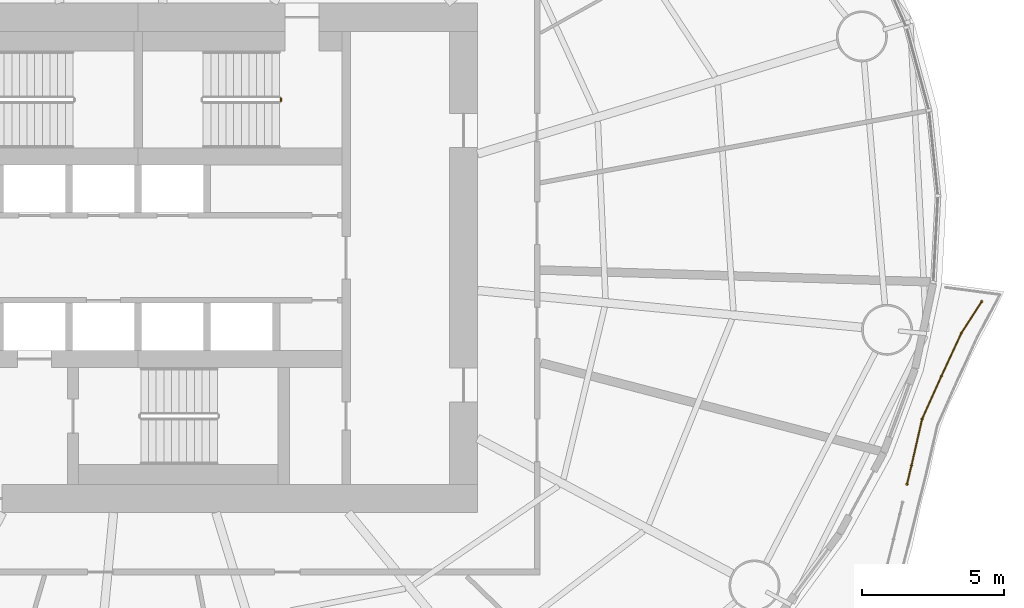
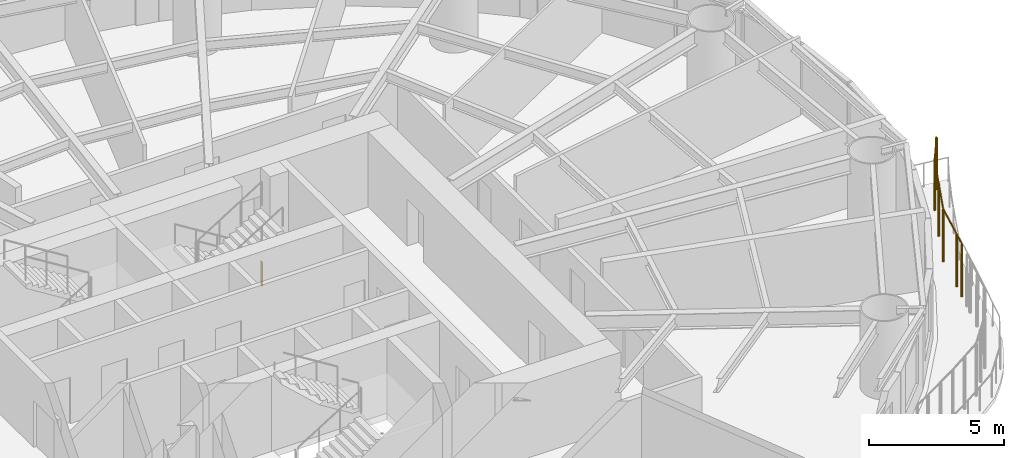
# One storey, part 15 of 17: 2 railings.
"""IFC4 building model written with IfcOpenShell, lengths in metres."""

from ifc_helpers import new_model, si_unit, direction, frame, origin, origin_2d, place, context, subcontext, project, spatial, circle, extrude, material, type_object, element, save


model = new_model("IFC4")

# Units and contexts
model_context = context("Model", 3, precision=1e-05, world=origin(), true_north=direction((0.0, 1.0)))
body_context = subcontext(model_context, "Body", "Model", "MODEL_VIEW")
ifc_project = project(units=[si_unit("LENGTHUNIT", "METRE"), si_unit("AREAUNIT", "SQUARE_METRE"), si_unit("VOLUMEUNIT", "CUBIC_METRE"), si_unit("PLANEANGLEUNIT", "RADIAN"), si_unit("MASSUNIT", "GRAM", prefix="KILO")], contexts=[model_context])

# Site, building, storey
site_placement = place(None, origin())
site = spatial("IfcSite", under=ifc_project, at=site_placement, CompositionType="ELEMENT")
building_placement = place(site_placement, origin())
building = spatial("IfcBuilding", under=site, at=building_placement, Name="Vermilion Reach Broadcast Tower", CompositionType="ELEMENT")
storey_placement = place(building_placement, frame((0.0, 0.0, 76.699951171875)))
storey = spatial("IfcBuildingStorey", under=building, at=storey_placement, Name="L16", CompositionType="ELEMENT", Elevation=76.699951171875)

# Railings
ifc_material_1 = material(Name="Terracotta baguette", Category="masonry")
railing_type_1 = type_object("IfcRailingType", Name="BAGUETTE SCREEN", PredefinedType="USERDEFINED", material=ifc_material_1)
railing_1_placement = place(storey_placement, frame((21.1669921875, -7.99951171875, 0.0)))
element("IfcRailing", 1, at=railing_1_placement, inside=storey, type_object=railing_type_1, Name="Baguette screen L16 group 4 part 3", ObjectType="BAGUETTE SCREEN", PredefinedType="USERDEFINED", context=body_context, shape_type="SweptSolid", body=[
    extrude(circle(Radius=0.030029296875, at=origin_2d()), frame((0.0, 0.0, 2.369873046875), z_axis=(0.236040814776, 0.971743141864, 0.0), x_axis=(-0.971743141864, 0.236040814776, 0.0)), (0.0, 0.0, 1.0), 0.681640625),
    extrude(circle(Radius=0.030029296875, at=origin_2d()), frame((0.160888671875, 0.662353515625, 2.369873046875), z_axis=(0.221890810164, 0.975071519615, 0.0), x_axis=(-0.975071519615, 0.221890810164, 0.0)), (0.0, 0.0, 1.0), 1.682373046875),
    extrude(circle(Radius=0.030029296875, at=origin_2d()), frame((0.5341796875, 2.302734375, 2.369873046875), z_axis=(0.410419548811, 0.911896811023, 0.0), x_axis=(-0.911896811023, 0.410419548811, 0.0)), (0.0, 0.0, 1.0), 1.6650390625),
    extrude(circle(Radius=0.030029296875, at=origin_2d()), frame((1.217529296875, 3.821044921875, 2.369873046875), z_axis=(0.420707542666, 0.907196320288, 0.0), x_axis=(-0.907196320288, 0.420707542666, 0.0)), (0.0, 0.0, 1.0), 1.670166015625),
    extrude(circle(Radius=0.030029296875, at=origin_2d()), frame((1.920166015625, 5.336181640625, 2.369873046875), z_axis=(0.54152586079, 0.840684091734, 0.0), x_axis=(-0.840684091734, 0.54152586079, 0.0)), (0.0, 0.0, 1.0), 1.332763671875),
    extrude(circle(Radius=0.050048828125, at=origin_2d()), origin(), (0.0, 0.0, 1.0), 2.33984375),
    extrude(circle(Radius=0.050048828125, at=origin_2d()), frame((0.160888671875, 0.662353515625, 0.0)), (0.0, 0.0, 1.0), 2.33984375),
    extrude(circle(Radius=0.050048828125, at=origin_2d()), frame((0.5341796875, 2.302734375, 0.0)), (0.0, 0.0, 1.0), 2.33984375),
    extrude(circle(Radius=0.050048828125, at=origin_2d()), frame((1.217529296875, 3.821044921875, 0.0)), (0.0, 0.0, 1.0), 2.33984375),
    extrude(circle(Radius=0.050048828125, at=origin_2d()), frame((1.920166015625, 5.336181640625, 0.0)), (0.0, 0.0, 1.0), 2.33984375),
    extrude(circle(Radius=0.050048828125, at=origin_2d()), frame((2.641845703125, 6.45654296875, 0.0)), (0.0, 0.0, 1.0), 2.33984375),
])
ifc_material_2 = material(Name="Stainless steel", Category="steel")
railing_type_2 = type_object("IfcRailingType", Name="Stair guard 1100", PredefinedType="GUARDRAIL", material=ifc_material_2)
railing_2_placement = place(storey_placement, frame((-0.949951171875, 5.639892578125, 0.0)))
element("IfcRailing", 2, at=railing_2_placement, inside=storey, type_object=railing_type_2, Name="L16 ST2 stair guard 4", PredefinedType="GUARDRAIL", context=body_context, shape_type="SweptSolid", body=[
    extrude(circle(Radius=0.02392578125, at=origin_2d()), frame((0.0, 0.0, 1.076171875), z_axis=(0.0, -1.0, 0.0), x_axis=(1.0, 0.0, 0.0)), (0.0, 0.0, 1.0), 0.099853515625),
    extrude(circle(Radius=0.02099609375, at=origin_2d()), origin(), (0.0, 0.0, 1.0), 1.052001953125),
    extrude(circle(Radius=0.02099609375, at=origin_2d()), frame((0.0, -0.099853515625, 0.0)), (0.0, 0.0, 1.0), 1.052001953125),
])

save(model, "model.ifc")
